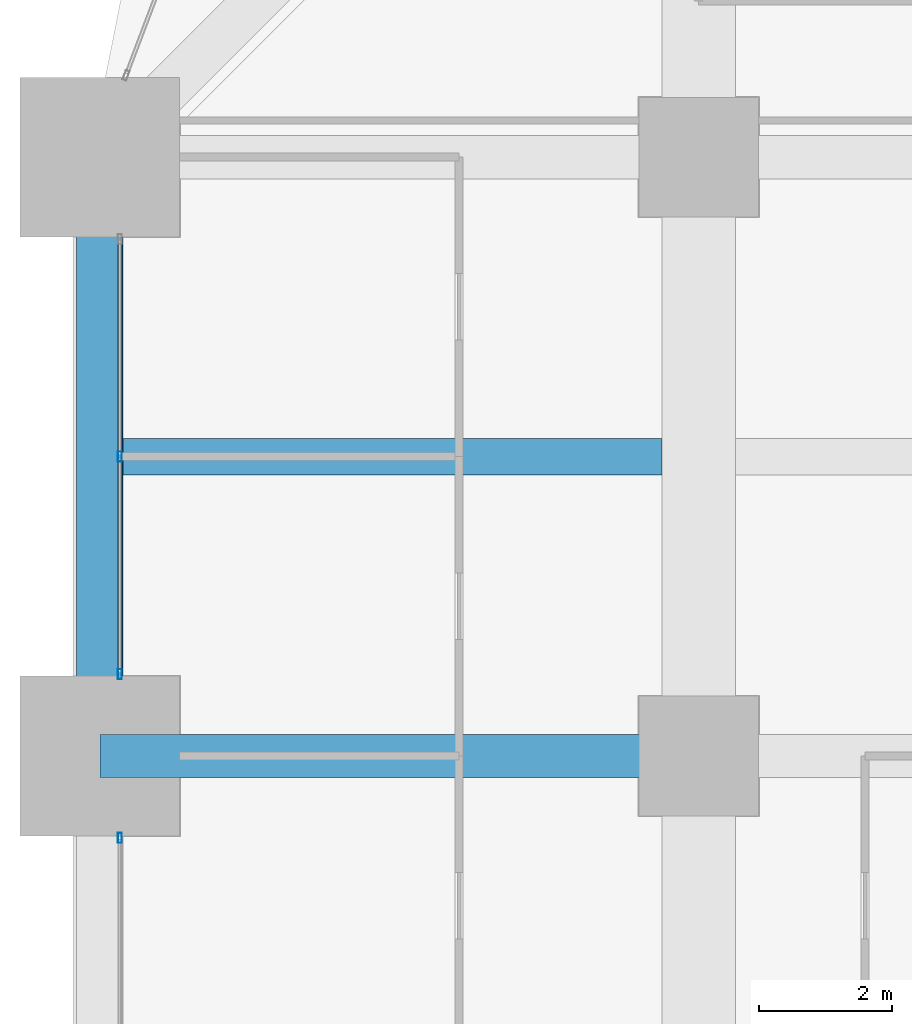
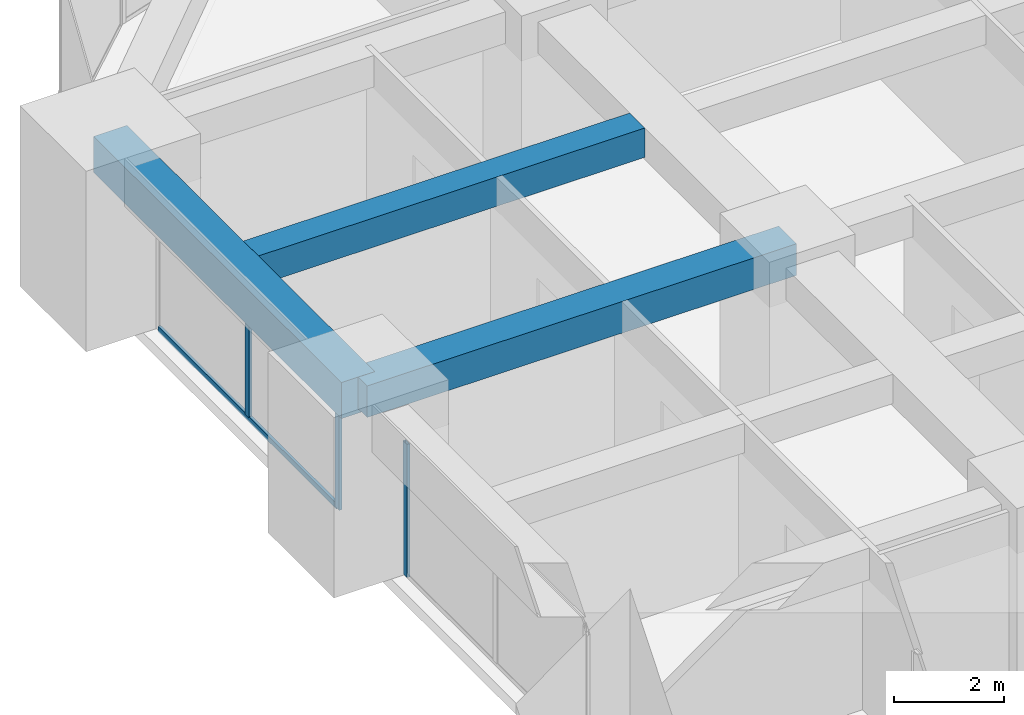
# One storey, part 11 of 41: 4 members, 3 beams, 2 elements without a shape of their own.
"""IFC4 building model written with IfcOpenShell, lengths in metres."""

from ifc_helpers import new_model, si_unit, direction, frame, origin, origin_2d, place, context, subcontext, project, spatial, rectangle, hollow_rectangle, extrude, material, material_profile, profile_set, type_object, element, aggregate, save


model = new_model("IFC4")

# Units and contexts
model_context = context("Model", 3, precision=1e-05, world=origin(), true_north=direction((0.0, 1.0)))
body_context = subcontext(model_context, "Body", "Model", "MODEL_VIEW")
ifc_project = project(units=[si_unit("LENGTHUNIT", "METRE"), si_unit("AREAUNIT", "SQUARE_METRE"), si_unit("VOLUMEUNIT", "CUBIC_METRE"), si_unit("PLANEANGLEUNIT", "RADIAN"), si_unit("MASSUNIT", "GRAM", prefix="KILO")], contexts=[model_context])

# Site, building, storey
site_placement = place(None, origin())
site = spatial("IfcSite", under=ifc_project, at=site_placement, CompositionType="ELEMENT")
building_placement = place(site_placement, origin())
building = spatial("IfcBuilding", under=site, at=building_placement, Name="Zorevar Civic Tower", CompositionType="ELEMENT")
storey_placement = place(building_placement, frame((0.0, 0.0, 137.0)))
storey = spatial("IfcBuildingStorey", under=building, at=storey_placement, Name="L33", CompositionType="ELEMENT", Elevation=137.0)

# Beams
ifc_material_1 = material(Name="Concrete C50/60", Category="concrete")
ifc_material_profile_1 = material_profile(ifc_material_1, rectangle(XDim=0.550048828125, YDim=0.64990234375, at=origin_2d()), Name="RC 550x650")
ifc_profile_set_1 = profile_set([ifc_material_profile_1], Name="Concrete C50/60")
beam_type_1 = type_object("IfcBeamType", Name="Beam RC 550x650", PredefinedType="BEAM", material=ifc_profile_set_1)
beam_1_placement = place(storey_placement, frame((0.35009765625, 31.5, 3.425048828125), z_axis=(1.0, 0.0, 0.0), x_axis=(0.0, 1.0, 0.0)))
element("IfcBeam", 1, at=beam_1_placement, inside=storey, type_object=beam_type_1, Name="Secondary beam L34", PredefinedType="BEAM", context=body_context, shape_type="SweptSolid", body=[
    extrude(rectangle(XDim=0.550048828125, YDim=0.64990234375, at=origin_2d()), origin(), (0.0, 0.0, 1.0), 8.099853515625),
])
ifc_material_2 = material(Name="Concrete C50/60", Category="concrete")
ifc_material_profile_2 = material_profile(ifc_material_2, rectangle(XDim=0.64990234375, YDim=0.699951171875, at=origin_2d()), Name="RC 650x700")
ifc_profile_set_2 = profile_set([ifc_material_profile_2], Name="Concrete C50/60")
beam_type_2 = type_object("IfcBeamType", Name="Beam RC 650x700", PredefinedType="BEAM", material=ifc_profile_set_2)
beam_2_placement = place(storey_placement, frame((0.0, 27.0, 3.39990234375), z_axis=(1.0, 0.0, 0.0), x_axis=(0.0, 1.0, 0.0)))
element("IfcBeam", 2, at=beam_2_placement, inside=storey, type_object=beam_type_2, Name="Girder L34", PredefinedType="BEAM", context=body_context, shape_type="SweptSolid", body=[
    extrude(rectangle(XDim=0.64990234375, YDim=0.699951171875, at=origin_2d()), origin(), (0.0, 0.0, 1.0), 9.0),
])

# Curtain wall, member
ifc_material_3 = material(Name="Dark grey solar-control glass in black aluminium frame", Category="aluminium")
curtain_wall_type = type_object("IfcCurtainWallType", Name="Curtain wall CW3 mid zone", PredefinedType="NOTDEFINED", material=ifc_material_3)
curtain_wall_1_placement = place(storey_placement, origin())
curtain_wall_1 = element("IfcCurtainWall", 3, at=curtain_wall_1_placement, inside=storey, type_object=curtain_wall_type, Name="CW3 L33", PredefinedType="NOTDEFINED")
ifc_material_4 = material(Name="Aluminium, black anodised", Category="aluminium")
ifc_material_profile_3 = material_profile(ifc_material_4, hollow_rectangle(XDim=0.06005859375, YDim=0.14990234375, WallThickness=0.00390625, at=origin_2d()), Name="AL 150x60x4")
ifc_profile_set_3 = profile_set([ifc_material_profile_3], Name="Aluminium, black anodised")
member_type_1 = type_object("IfcMemberType", Name="CW3 mullion AL 150x60x4", PredefinedType="MULLION", material=ifc_profile_set_3)
member_1_placement = place(storey_placement, frame((0.300048828125, 25.77001953125, 0.0), z_axis=(0.0, 0.0, 1.0), x_axis=(-1.0, 0.0, 0.0)))
member_1 = element("IfcMember", 4, at=member_1_placement, type_object=member_type_1, Name="CW3 mullion 3", PredefinedType="MULLION", context=body_context, shape_type="SweptSolid", body=[
    extrude(hollow_rectangle(XDim=0.06005859375, YDim=0.14990234375, WallThickness=0.00390625, at=origin_2d()), origin(), (0.0, 0.0, 1.0), 2.949951171875),
])
aggregate(curtain_wall_1, [member_1])

# Curtain wall, members
curtain_wall_2_placement = place(storey_placement, origin())
curtain_wall_2 = element("IfcCurtainWall", 5, at=curtain_wall_2_placement, inside=storey, type_object=curtain_wall_type, Name="CW3 L33", PredefinedType="NOTDEFINED")
member_2_placement = place(storey_placement, frame((0.300048828125, 28.22998046875, 0.0), z_axis=(0.0, 0.0, 1.0), x_axis=(-1.0, 0.0, 0.0)))
member_2 = element("IfcMember", 6, at=member_2_placement, type_object=member_type_1, Name="CW3 mullion 1", PredefinedType="MULLION", context=body_context, shape_type="SweptSolid", body=[
    extrude(hollow_rectangle(XDim=0.06005859375, YDim=0.14990234375, WallThickness=0.00390625, at=origin_2d()), origin(), (0.0, 0.0, 1.0), 2.949951171875),
])
member_3_placement = place(storey_placement, frame((0.300048828125, 31.5, 0.06005859375), z_axis=(0.0, 0.0, 1.0), x_axis=(-1.0, 0.0, 0.0)))
member_3 = element("IfcMember", 7, at=member_3_placement, type_object=member_type_1, Name="CW3 mullion 2", PredefinedType="MULLION", context=body_context, shape_type="SweptSolid", body=[
    extrude(hollow_rectangle(XDim=0.06005859375, YDim=0.14990234375, WallThickness=0.00390625, at=origin_2d()), origin(), (0.0, 0.0, 1.0), 2.889892578125),
])
ifc_material_5 = material(Name="Aluminium, black anodised", Category="aluminium")
ifc_material_profile_4 = material_profile(ifc_material_5, hollow_rectangle(XDim=0.06005859375, YDim=0.1201171875, WallThickness=0.0029296875, at=origin_2d()), Name="AL 120x60x3")
ifc_profile_set_4 = profile_set([ifc_material_profile_4], Name="Aluminium, black anodised")
member_type_2 = type_object("IfcMemberType", Name="CW3 transom AL 120x60x3", PredefinedType="USERDEFINED", material=ifc_profile_set_4)
member_4_placement = place(storey_placement, frame((0.300048828125, 28.260009765625, 0.030029296875), z_axis=(0.0, 1.0, 0.0), x_axis=(-1.0, 0.0, 0.0)))
member_4 = element("IfcMember", 8, at=member_4_placement, type_object=member_type_2, Name="CW3 sill transom", ObjectType="TRANSOM", PredefinedType="USERDEFINED", context=body_context, shape_type="SweptSolid", body=[
    extrude(hollow_rectangle(XDim=0.06005859375, YDim=0.1201171875, WallThickness=0.0029296875, at=origin_2d()), origin(), (0.0, 0.0, 1.0), 6.47998046875),
])
aggregate(curtain_wall_2, [member_2, member_3, member_4])

# Beam
ifc_material_6 = material(Name="Concrete C50/60", Category="concrete")
ifc_material_profile_5 = material_profile(ifc_material_6, rectangle(XDim=0.699951171875, YDim=0.800048828125, at=origin_2d()), Name="RC 700x800")
ifc_profile_set_5 = profile_set([ifc_material_profile_5], Name="Concrete C50/60")
beam_type_3 = type_object("IfcBeamType", Name="Edge beam RC 700x800", PredefinedType="SPANDREL", material=ifc_profile_set_5)
beam_3_placement = place(storey_placement, frame((0.0, 27.0, 3.35009765625), z_axis=(0.0, 1.0, 0.0), x_axis=(-1.0, 0.0, 0.0)))
element("IfcBeam", 9, at=beam_3_placement, inside=storey, type_object=beam_type_3, Name="Edge beam L34", PredefinedType="SPANDREL", context=body_context, shape_type="SweptSolid", body=[
    extrude(rectangle(XDim=0.699951171875, YDim=0.800048828125, at=origin_2d()), origin(), (0.0, 0.0, 1.0), 9.0),
])

save(model, "model.ifc")
